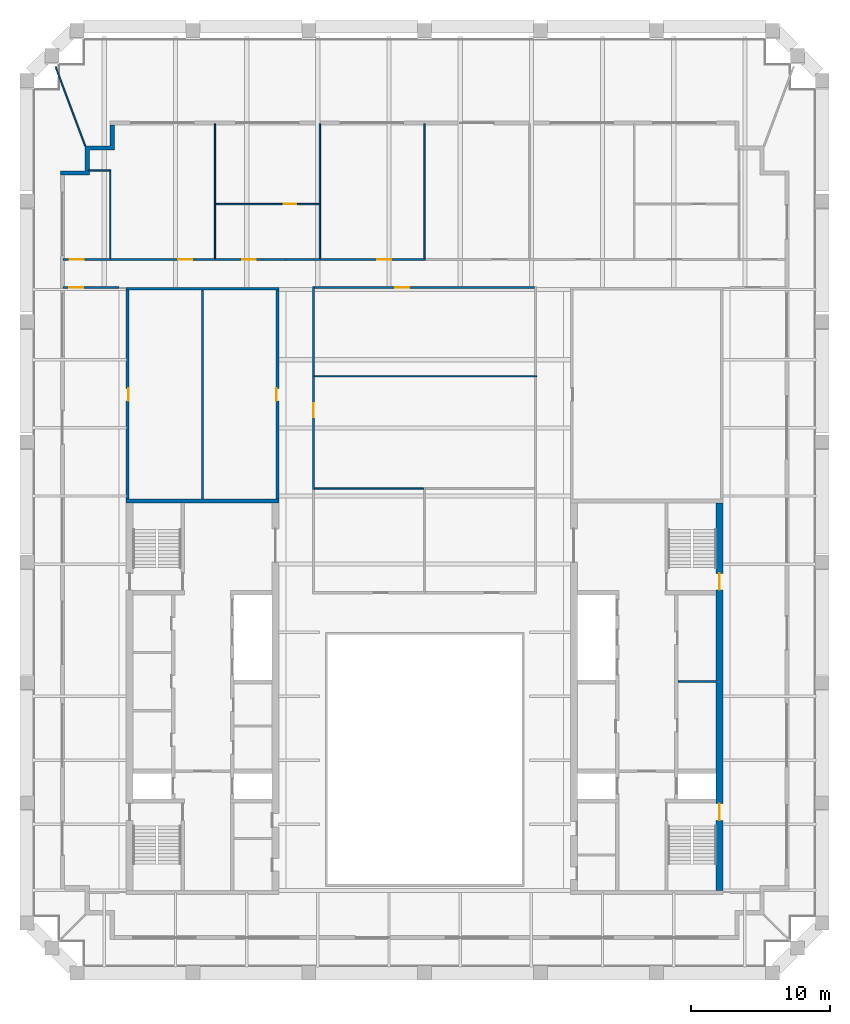
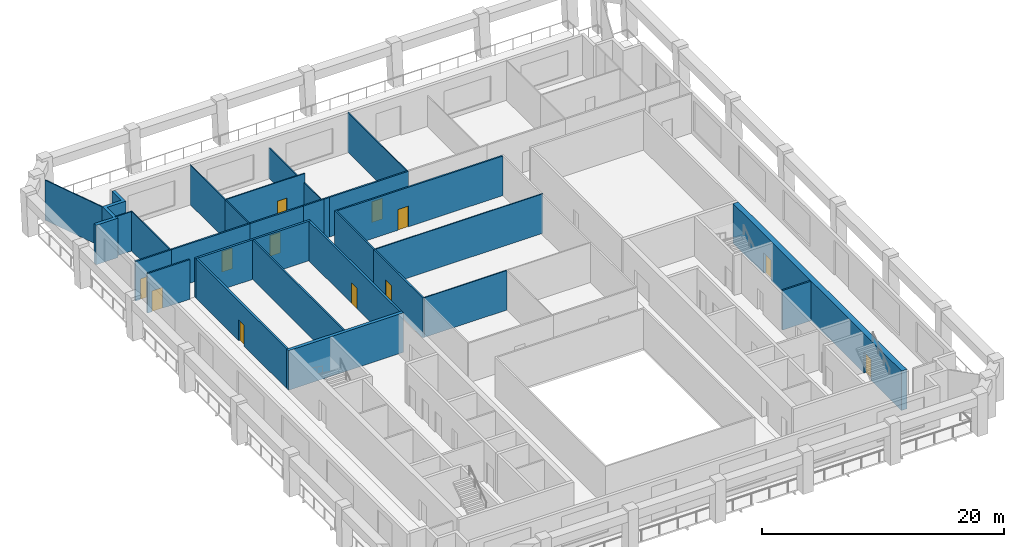
# One storey, part 5 of 9: 29 walls, 12 doors, 12 openings.
"""IFC4 building model written with IfcOpenShell, lengths in metres."""

from ifc_helpers import new_model, si_unit, direction, frame, frame_2d, origin, place, context, subcontext, project, spatial, polyline, rectangle, outline, extrude, material, layer, layer_set, type_object, element, fill, save


model = new_model("IFC4")

# Units and contexts
model_context = context("Model", 3, precision=1e-05, world=origin(), true_north=direction((0.0, 1.0)))
body_context = subcontext(model_context, "Body", "Model", "MODEL_VIEW")
ifc_project = project(units=[si_unit("LENGTHUNIT", "METRE"), si_unit("AREAUNIT", "SQUARE_METRE"), si_unit("VOLUMEUNIT", "CUBIC_METRE"), si_unit("PLANEANGLEUNIT", "RADIAN"), si_unit("MASSUNIT", "GRAM", prefix="KILO")], contexts=[model_context])

# Site, building, storey
site_placement = place(None, origin())
site = spatial("IfcSite", under=ifc_project, at=site_placement, CompositionType="ELEMENT")
building_placement = place(site_placement, origin())
building = spatial("IfcBuilding", under=site, at=building_placement, Name="Ogive Exchange Tower", CompositionType="ELEMENT")
storey_placement = place(building_placement, frame((0.0, 0.0, 346.800048828125)))
storey = spatial("IfcBuildingStorey", under=building, at=storey_placement, Name="L76", CompositionType="ELEMENT", Elevation=346.800048828125)

# Walls
ifc_material_1 = material(Name="Gypsum board partition")
ifc_layer_1 = layer(ifc_material_1, 0.14990234375)
ifc_layer_set_1 = layer_set([ifc_layer_1], Name="Core room partition 150 gypsum")
wall_type_1 = type_object("IfcWallType", Name="Core room partition 150 gypsum", PredefinedType="PARTITIONING", material=ifc_layer_set_1)
wall_1_placement = place(storey_placement, frame((-16.0, 25.75, 0.0), z_axis=(0.0, 0.0, 1.0), x_axis=(0.0, 1.0, 0.0)))
element("IfcWall", 1, at=wall_1_placement, inside=storey, type_object=wall_type_1, Name="W annex N column wall", PredefinedType="PARTITIONING", context=body_context, shape_type="SweptSolid", body=[
    extrude(rectangle(XDim=15.050048828125, YDim=0.14990234375, at=frame_2d((7.52490234375, 0.0))), origin(), (0.0, 0.0, 1.0), 4.0),
])
wall_2_placement = place(storey_placement, frame((18.25, 12.60009765625, 0.0), z_axis=(0.0, 0.0, 1.0), x_axis=(1.0, 0.0, 0.0)))
element("IfcWall", 2, at=wall_2_placement, inside=storey, type_object=wall_type_1, Name="E row A bay partition 1-1", PredefinedType="PARTITIONING", context=body_context, shape_type="SweptSolid", body=[
    extrude(rectangle(XDim=2.75, YDim=0.14990234375, at=frame_2d((1.375, 0.0))), origin(), (0.0, 0.0, 1.0), 4.0),
])

# Wall, opening, door
ifc_material_2 = material(Name="Fire partition EI 60 150")
ifc_layer_2 = layer(ifc_material_2, 0.14990234375)
ifc_layer_set_2 = layer_set([ifc_layer_2], Name="Fire partition EI 60 150")
wall_type_2 = type_object("IfcWallType", Name="Fire partition EI 60 150", PredefinedType="PARTITIONING", material=ifc_layer_set_2)
wall_3_placement = place(storey_placement, frame((-26.050048828125, 43.0, 0.0), z_axis=(0.0, 0.0, 1.0), x_axis=(1.0, 0.0, 0.0)))
wall_3 = element("IfcWall", 3, at=wall_3_placement, inside=storey, type_object=wall_type_2, Name="L76-PWL-001", PredefinedType="PARTITIONING", context=body_context, shape_type="SweptSolid", body=[
    extrude(rectangle(XDim=3.449951171875, YDim=0.14990234375, at=frame_2d((1.72509765625, 0.0))), origin(), (0.0, 0.0, 1.0), 4.0),
])
opening_1_placement = place(wall_3_placement, frame((0.5, 0.0, 0.0)))
opening_1 = element("IfcOpeningElement", 4, at=opening_1_placement, cuts=wall_3, Name="Opening L76-I10", PredefinedType="OPENING", context=body_context, shape_type="SweptSolid", body=[
    extrude(rectangle(XDim=1.0, YDim=2.10009765625, at=frame_2d((0.5, 1.050048828125))), frame((0.0, 0.0849609375, 0.0), z_axis=(0.0, -1.0, 0.0), x_axis=(1.0, 0.0, 0.0)), (0.0, 0.0, 1.0), 0.169921875),
])
ifc_material_3 = material(Name="Fire door FD 30S 1000 x 2100")
door_type_1 = type_object("IfcDoorType", Name="Fire door FD 30S 1000 x 2100", OperationType="NOTDEFINED", PredefinedType="DOOR", material=ifc_material_3)
door_1_placement = place(opening_1_placement, origin())
door_1 = element("IfcDoor", 5, at=door_1_placement, inside=storey, type_object=door_type_1, Name="L76-IDR-010", ObjectType="DT3", OperationType="SINGLE_SWING_RIGHT", OverallHeight=2.10009765625, OverallWidth=1.0, PredefinedType="DOOR", context=body_context, shape_type="SweptSolid", body=[
    extrude(rectangle(XDim=1.0, YDim=2.10009765625, at=frame_2d((0.5, 1.050048828125))), frame((0.0, 0.02490234375, 0.0), z_axis=(0.0, -1.0, 0.0), x_axis=(1.0, 0.0, 0.0)), (0.0, 0.0, 1.0), 0.050048828125),
])
fill(opening_1, door_1)

wall_4_placement = place(storey_placement, frame((-22.64990234375, 43.0, 0.0), z_axis=(0.0, 0.0, 1.0), x_axis=(1.0, 0.0, 0.0)))
wall_4 = element("IfcWall", 6, at=wall_4_placement, inside=storey, type_object=wall_type_2, Name="L76-PWL-004", PredefinedType="PARTITIONING", context=body_context, shape_type="SweptSolid", body=[
    extrude(rectangle(XDim=7.599853515625, YDim=0.14990234375, at=frame_2d((3.7998046875, 0.0))), origin(), (0.0, 0.0, 1.0), 4.0),
])
opening_2_placement = place(wall_4_placement, frame((4.89990234375, 0.0, 0.0)))
opening_2 = element("IfcOpeningElement", 7, at=opening_2_placement, cuts=wall_4, Name="Opening L76-I09", PredefinedType="OPENING", context=body_context, shape_type="SweptSolid", body=[
    extrude(rectangle(XDim=1.0, YDim=2.10009765625, at=frame_2d((0.5, 1.050048828125))), frame((0.0, 0.0849609375, 0.0), z_axis=(0.0, -1.0, 0.0), x_axis=(1.0, 0.0, 0.0)), (0.0, 0.0, 1.0), 0.169921875),
])
door_2_placement = place(opening_2_placement, origin())
door_2 = element("IfcDoor", 8, at=door_2_placement, inside=storey, type_object=door_type_1, Name="L76-IDR-009", ObjectType="DT3", OperationType="SINGLE_SWING_LEFT", OverallHeight=2.10009765625, OverallWidth=1.0, PredefinedType="DOOR", context=body_context, shape_type="SweptSolid", body=[
    extrude(rectangle(XDim=1.0, YDim=2.10009765625, at=frame_2d((0.5, 1.050048828125))), frame((0.0, 0.02490234375, 0.0), z_axis=(0.0, -1.0, 0.0), x_axis=(1.0, 0.0, 0.0)), (0.0, 0.0, 1.0), 0.050048828125),
])
fill(opening_2, door_2)

wall_5_placement = place(storey_placement, frame((-22.0, 41.0, 0.0), z_axis=(0.0, 0.0, 1.0), x_axis=(-1.0, 0.0, 0.0)))
wall_5 = element("IfcWall", 9, at=wall_5_placement, inside=storey, type_object=wall_type_2, Name="L76-PWL-006", PredefinedType="PARTITIONING", context=body_context, shape_type="SweptSolid", body=[
    extrude(rectangle(XDim=4.050048828125, YDim=0.14990234375, at=frame_2d((2.02490234375, 0.0))), origin(), (0.0, 0.0, 1.0), 4.0),
])
opening_3_placement = place(wall_5_placement, frame((2.60009765625, 0.0, 0.0)))
opening_3 = element("IfcOpeningElement", 10, at=opening_3_placement, cuts=wall_5, Name="Opening L76-I15", PredefinedType="OPENING", context=body_context, shape_type="SweptSolid", body=[
    extrude(rectangle(XDim=1.0, YDim=2.10009765625, at=frame_2d((0.5, 1.050048828125))), frame((0.0, 0.0849609375, 0.0), z_axis=(0.0, -1.0, 0.0), x_axis=(1.0, 0.0, 0.0)), (0.0, 0.0, 1.0), 0.169921875),
])
door_3_placement = place(opening_3_placement, origin())
door_3 = element("IfcDoor", 11, at=door_3_placement, inside=storey, type_object=door_type_1, Name="L76-IDR-015", ObjectType="DT3", OperationType="SINGLE_SWING_LEFT", OverallHeight=2.10009765625, OverallWidth=1.0, PredefinedType="DOOR", context=body_context, shape_type="SweptSolid", body=[
    extrude(rectangle(XDim=1.0, YDim=2.10009765625, at=frame_2d((0.5, 1.050048828125))), frame((0.0, 0.02490234375, 0.0), z_axis=(0.0, -1.0, 0.0), x_axis=(1.0, 0.0, 0.0)), (0.0, 0.0, 1.0), 0.050048828125),
])
fill(opening_3, door_3)

wall_6_placement = place(storey_placement, frame((-15.10009765625, 43.0, 0.0), z_axis=(0.0, 0.0, 1.0), x_axis=(1.0, 0.0, 0.0)))
wall_6 = element("IfcWall", 12, at=wall_6_placement, inside=storey, type_object=wall_type_2, Name="L76-PWL-008", PredefinedType="PARTITIONING", context=body_context, shape_type="SweptSolid", body=[
    extrude(rectangle(XDim=5.10009765625, YDim=0.14990234375, at=frame_2d((2.550048828125, 0.0))), origin(), (0.0, 0.0, 1.0), 4.0),
])
opening_4_placement = place(wall_6_placement, frame((1.949951171875, 0.0, 0.0)))
opening_4 = element("IfcOpeningElement", 13, at=opening_4_placement, cuts=wall_6, Name="Opening L76-I07", PredefinedType="OPENING", context=body_context, shape_type="SweptSolid", body=[
    extrude(rectangle(XDim=1.0, YDim=2.10009765625, at=frame_2d((0.5, 1.050048828125))), frame((0.0, 0.0849609375, 0.0), z_axis=(0.0, -1.0, 0.0), x_axis=(1.0, 0.0, 0.0)), (0.0, 0.0, 1.0), 0.169921875),
])
door_4_placement = place(opening_4_placement, origin())
door_4 = element("IfcDoor", 14, at=door_4_placement, inside=storey, type_object=door_type_1, Name="L76-IDR-007", ObjectType="DT3", OperationType="SINGLE_SWING_RIGHT", OverallHeight=2.10009765625, OverallWidth=1.0, PredefinedType="DOOR", context=body_context, shape_type="SweptSolid", body=[
    extrude(rectangle(XDim=1.0, YDim=2.10009765625, at=frame_2d((0.5, 1.050048828125))), frame((0.0, 0.02490234375, 0.0), z_axis=(0.0, -1.0, 0.0), x_axis=(1.0, 0.0, 0.0)), (0.0, 0.0, 1.0), 0.050048828125),
])
fill(opening_4, door_4)

# Wall
wall_7_placement = place(storey_placement, frame((-10.0, 43.0, 0.0), z_axis=(0.0, 0.0, 1.0), x_axis=(1.0, 0.0, 0.0)))
element("IfcWall", 15, at=wall_7_placement, inside=storey, type_object=wall_type_2, Name="L76-PWL-011", PredefinedType="PARTITIONING", context=body_context, shape_type="SweptSolid", body=[
    extrude(rectangle(XDim=2.0, YDim=0.14990234375, at=frame_2d((1.0, 0.0))), origin(), (0.0, 0.0, 1.0), 4.0),
])

# Wall, opening, door
wall_8_placement = place(storey_placement, frame((-8.0, 34.64990234375, 0.0), z_axis=(0.0, 0.0, 1.0), x_axis=(0.0, -1.0, 0.0)))
wall_8 = element("IfcWall", 16, at=wall_8_placement, inside=storey, type_object=wall_type_2, Name="L76-PWL-014", PredefinedType="PARTITIONING", context=body_context, shape_type="SweptSolid", body=[
    extrude(rectangle(XDim=8.199951171875, YDim=0.14990234375, at=frame_2d((4.10009765625, 0.0))), origin(), (0.0, 0.0, 1.0), 4.0),
])
opening_5_placement = place(wall_8_placement, frame((2.0, 0.0, 0.0)))
opening_5 = element("IfcOpeningElement", 17, at=opening_5_placement, cuts=wall_8, Name="Opening L76-I11", PredefinedType="OPENING", context=body_context, shape_type="SweptSolid", body=[
    extrude(rectangle(XDim=1.0, YDim=2.10009765625, at=frame_2d((0.5, 1.050048828125))), frame((0.0, 0.0849609375, 0.0), z_axis=(0.0, -1.0, 0.0), x_axis=(1.0, 0.0, 0.0)), (0.0, 0.0, 1.0), 0.169921875),
])
door_5_placement = place(opening_5_placement, origin())
door_5 = element("IfcDoor", 18, at=door_5_placement, inside=storey, type_object=door_type_1, Name="L76-IDR-011", ObjectType="DT3", OperationType="SINGLE_SWING_RIGHT", OverallHeight=2.10009765625, OverallWidth=1.0, PredefinedType="DOOR", context=body_context, shape_type="SweptSolid", body=[
    extrude(rectangle(XDim=1.0, YDim=2.10009765625, at=frame_2d((0.5, 1.050048828125))), frame((0.0, 0.02490234375, 0.0), z_axis=(0.0, -1.0, 0.0), x_axis=(1.0, 0.0, 0.0)), (0.0, 0.0, 1.0), 0.050048828125),
])
fill(opening_5, door_5)

# Walls
wall_9_placement = place(storey_placement, frame((-8.0, 41.074951171875, 0.0), z_axis=(0.0, 0.0, 1.0), x_axis=(0.0, -1.0, 0.0)))
element("IfcWall", 19, at=wall_9_placement, inside=storey, type_object=wall_type_2, Name="L76-PWL-016", PredefinedType="PARTITIONING", context=body_context, shape_type="SweptSolid", body=[
    extrude(rectangle(XDim=6.474853515625, YDim=0.14990234375, at=frame_2d((3.2373046875, 0.0))), origin(), (0.0, 0.0, 1.0), 4.0),
])
wall_10_placement = place(storey_placement, frame((-8.0, 43.0, 0.0), z_axis=(0.0, 0.0, 1.0), x_axis=(1.0, 0.0, 0.0)))
element("IfcWall", 20, at=wall_10_placement, inside=storey, type_object=wall_type_2, Name="L76-PWL-017", PredefinedType="PARTITIONING", context=body_context, shape_type="SweptSolid", body=[
    extrude(rectangle(XDim=0.5, YDim=0.14990234375, at=frame_2d((0.25, 0.0))), origin(), (0.0, 0.0, 1.0), 4.0),
])

# Wall, opening, door
wall_11_placement = place(storey_placement, frame((-7.550048828125, 43.0, 0.0), z_axis=(0.0, 0.0, 1.0), x_axis=(1.0, 0.0, 0.0)))
wall_11 = element("IfcWall", 21, at=wall_11_placement, inside=storey, type_object=wall_type_2, Name="L76-PWL-019", PredefinedType="PARTITIONING", context=body_context, shape_type="SweptSolid", body=[
    extrude(rectangle(XDim=7.60009765625, YDim=0.14990234375, at=frame_2d((3.800048828125, 0.0))), origin(), (0.0, 0.0, 1.0), 4.0),
])
opening_6_placement = place(wall_11_placement, frame((4.14990234375, 0.0, 0.0)))
opening_6 = element("IfcOpeningElement", 22, at=opening_6_placement, cuts=wall_11, Name="Opening L76-I06", PredefinedType="OPENING", context=body_context, shape_type="SweptSolid", body=[
    extrude(rectangle(XDim=1.0, YDim=2.10009765625, at=frame_2d((0.5, 1.050048828125))), frame((0.0, 0.0849609375, 0.0), z_axis=(0.0, -1.0, 0.0), x_axis=(1.0, 0.0, 0.0)), (0.0, 0.0, 1.0), 0.169921875),
])
door_6_placement = place(opening_6_placement, origin())
door_6 = element("IfcDoor", 23, at=door_6_placement, inside=storey, type_object=door_type_1, Name="L76-IDR-006", ObjectType="DT3", OperationType="SINGLE_SWING_LEFT", OverallHeight=2.10009765625, OverallWidth=1.0, PredefinedType="DOOR", context=body_context, shape_type="SweptSolid", body=[
    extrude(rectangle(XDim=1.0, YDim=2.10009765625, at=frame_2d((0.5, 1.050048828125))), frame((0.0, 0.02490234375, 0.0), z_axis=(0.0, -1.0, 0.0), x_axis=(1.0, 0.0, 0.0)), (0.0, 0.0, 1.0), 0.050048828125),
])
fill(opening_6, door_6)

wall_12_placement = place(storey_placement, frame((7.925048828125, 41.0, 0.0), z_axis=(0.0, 0.0, 1.0), x_axis=(-1.0, 0.0, 0.0)))
wall_12 = element("IfcWall", 24, at=wall_12_placement, inside=storey, type_object=wall_type_2, Name="L76-PWL-032", PredefinedType="PARTITIONING", context=body_context, shape_type="SweptSolid", body=[
    extrude(rectangle(XDim=15.85009765625, YDim=0.14990234375, at=frame_2d((7.925048828125, 0.0))), origin(), (0.0, 0.0, 1.0), 4.0),
])
opening_7_placement = place(wall_12_placement, frame((9.02490234375, 0.0, 0.0)))
opening_7 = element("IfcOpeningElement", 25, at=opening_7_placement, cuts=wall_12, Name="Opening L76-I12", PredefinedType="OPENING", context=body_context, shape_type="SweptSolid", body=[
    extrude(rectangle(XDim=1.0, YDim=2.10009765625, at=frame_2d((0.5, 1.050048828125))), frame((0.0, 0.0849609375, 0.0), z_axis=(0.0, -1.0, 0.0), x_axis=(1.0, 0.0, 0.0)), (0.0, 0.0, 1.0), 0.169921875),
])
door_7_placement = place(opening_7_placement, origin())
door_7 = element("IfcDoor", 26, at=door_7_placement, inside=storey, type_object=door_type_1, Name="L76-IDR-012", ObjectType="DT3", OperationType="SINGLE_SWING_RIGHT", OverallHeight=2.10009765625, OverallWidth=1.0, PredefinedType="DOOR", context=body_context, shape_type="SweptSolid", body=[
    extrude(rectangle(XDim=1.0, YDim=2.10009765625, at=frame_2d((0.5, 1.050048828125))), frame((0.0, 0.02490234375, 0.0), z_axis=(0.0, -1.0, 0.0), x_axis=(1.0, 0.0, 0.0)), (0.0, 0.0, 1.0), 0.050048828125),
])
fill(opening_7, door_7)

# Walls
ifc_material_4 = material(Name="Precast concrete C40/50", Category="concrete")
ifc_layer_3 = layer(ifc_material_4, 0.300048828125)
ifc_layer_set_3 = layer_set([ifc_layer_3], Name="Limestone-faced wall 300")
wall_type_3 = type_object("IfcWallType", Name="Limestone-faced wall 300", PredefinedType="STANDARD", material=ifc_layer_set_3)
wall_13_placement = place(storey_placement, origin())
element("IfcWall", 27, at=wall_13_placement, inside=storey, type_object=wall_type_3, Name="External corner wall C3", PredefinedType="STANDARD", context=body_context, shape_type="SweptSolid", body=[
    extrude(outline(polyline([(-24.449951171875, 49.39990234375), (-24.449951171875, 51.199951171875), (-22.64990234375, 51.199951171875), (-22.64990234375, 52.699951171875), (-22.35009765625, 52.699951171875), (-22.35009765625, 50.89990234375), (-24.14990234375, 50.89990234375), (-24.14990234375, 49.10009765625), (-26.25, 49.10009765625), (-26.25, 49.39990234375), (-24.449951171875, 49.39990234375)])), origin(), (0.0, 0.0, 1.0), 4.0),
])
ifc_material_5 = material(Name="Laminated safety glass in steel frame", Category="steel")
ifc_layer_4 = layer(ifc_material_5, 0.10009765625)
ifc_layer_set_4 = layer_set([ifc_layer_4], Name="Loggia end screen 100")
wall_type_4 = type_object("IfcWallType", Name="Loggia end screen 100", PredefinedType="STANDARD", material=ifc_layer_set_4)
wall_14_placement = place(storey_placement, frame((-24.449951171875, 51.199951171875, -0.050048828125), z_axis=(0.0, 0.0, 1.0), x_axis=(-0.352001800812, 0.93599932277, 0.0)))
element("IfcWall", 28, at=wall_14_placement, inside=storey, type_object=wall_type_4, Name="Loggia end screen C3", PredefinedType="STANDARD", context=body_context, shape_type="SweptSolid", body=[
    extrude(rectangle(XDim=6.091064453125, YDim=0.10009765625, at=frame_2d((3.04541015625, 0.0))), origin(), (0.0, 0.0, 1.0), 4.050048828125),
])
ifc_material_6 = material(Name="Partition 100 gypsum")
ifc_layer_5 = layer(ifc_material_6, 0.10009765625)
ifc_layer_set_5 = layer_set([ifc_layer_5], Name="Partition 100 gypsum")
wall_type_5 = type_object("IfcWallType", Name="Partition 100 gypsum", PredefinedType="PARTITIONING", material=ifc_layer_set_5)
wall_15_placement = place(storey_placement, frame((-22.64990234375, 43.074951171875, 0.0), z_axis=(0.0, 0.0, 1.0), x_axis=(0.0, 1.0, 0.0)))
element("IfcWall", 29, at=wall_15_placement, inside=storey, type_object=wall_type_5, Name="L76-PWL-003", PredefinedType="PARTITIONING", context=body_context, shape_type="SweptSolid", body=[
    extrude(rectangle(XDim=6.385009765625, YDim=0.10009765625, at=frame_2d((3.1923828125, 0.0))), origin(), (0.0, 0.0, 1.0), 4.0),
])
wall_16_placement = place(storey_placement, frame((-22.699951171875, 49.409912109375, 0.0), z_axis=(0.0, 0.0, 1.0), x_axis=(-1.0, 0.0, 0.0)))
element("IfcWall", 30, at=wall_16_placement, inside=storey, type_object=wall_type_5, Name="L76-PWL-005", PredefinedType="PARTITIONING", context=body_context, shape_type="SweptSolid", body=[
    extrude(rectangle(XDim=1.550048828125, YDim=0.10009765625, at=frame_2d((0.77490234375, 0.0))), origin(), (0.0, 0.0, 1.0), 4.0),
])
wall_17_placement = place(storey_placement, frame((-15.10009765625, 43.074951171875, 0.0), z_axis=(0.0, 0.0, 1.0), x_axis=(0.0, 1.0, 0.0)))
element("IfcWall", 31, at=wall_17_placement, inside=storey, type_object=wall_type_5, Name="L76-PWL-007", PredefinedType="PARTITIONING", context=body_context, shape_type="SweptSolid", body=[
    extrude(rectangle(XDim=3.875, YDim=0.10009765625, at=frame_2d((1.9375, 0.0))), origin(), (0.0, 0.0, 1.0), 4.0),
])
wall_18_placement = place(storey_placement, frame((-15.10009765625, 46.949951171875, 0.0), z_axis=(0.0, 0.0, 1.0), x_axis=(0.0, 1.0, 0.0)))
element("IfcWall", 32, at=wall_18_placement, inside=storey, type_object=wall_type_5, Name="L76-PWL-009", PredefinedType="PARTITIONING", context=body_context, shape_type="SweptSolid", body=[
    extrude(rectangle(XDim=5.85009765625, YDim=0.10009765625, at=frame_2d((2.925048828125, 0.0))), origin(), (0.0, 0.0, 1.0), 4.0),
])

# Wall, opening, door
wall_19_placement = place(storey_placement, frame((-15.050048828125, 47.0, 0.0), z_axis=(0.0, 0.0, 1.0), x_axis=(1.0, 0.0, 0.0)))
wall_19 = element("IfcWall", 33, at=wall_19_placement, inside=storey, type_object=wall_type_5, Name="L76-PWL-010", PredefinedType="PARTITIONING", context=body_context, shape_type="SweptSolid", body=[
    extrude(rectangle(XDim=7.550048828125, YDim=0.10009765625, at=frame_2d((3.77490234375, 0.0))), origin(), (0.0, 0.0, 1.0), 4.0),
])
opening_8_placement = place(wall_19_placement, frame((4.89990234375, 0.0, 0.0)))
opening_8 = element("IfcOpeningElement", 34, at=opening_8_placement, cuts=wall_19, Name="Opening L76-I08", PredefinedType="OPENING", context=body_context, shape_type="SweptSolid", body=[
    extrude(rectangle(XDim=0.89990234375, YDim=2.10009765625, at=frame_2d((0.449951171875, 1.050048828125))), frame((0.0, 0.06005859375, 0.0), z_axis=(0.0, -1.0, 0.0), x_axis=(1.0, 0.0, 0.0)), (0.0, 0.0, 1.0), 0.1201171875),
])
ifc_material_7 = material(Name="Door 900 x 2100")
door_type_2 = type_object("IfcDoorType", Name="Door 900 x 2100", OperationType="NOTDEFINED", PredefinedType="DOOR", material=ifc_material_7)
door_8_placement = place(opening_8_placement, frame((0.89990234375, 0.0, 0.0), z_axis=(0.0, 0.0, 1.0), x_axis=(-1.0, 0.0, 0.0)))
door_8 = element("IfcDoor", 35, at=door_8_placement, inside=storey, type_object=door_type_2, Name="L76-IDR-008", ObjectType="DT1", OperationType="SINGLE_SWING_RIGHT", OverallHeight=2.10009765625, OverallWidth=0.89990234375, PredefinedType="DOOR", context=body_context, shape_type="SweptSolid", body=[
    extrude(rectangle(XDim=0.89990234375, YDim=2.10009765625, at=frame_2d((0.449951171875, 1.050048828125))), frame((0.0, 0.02490234375, 0.0), z_axis=(0.0, -1.0, 0.0), x_axis=(1.0, 0.0, 0.0)), (0.0, 0.0, 1.0), 0.050048828125),
])
fill(opening_8, door_8)

# Walls
wall_20_placement = place(storey_placement, frame((-7.925048828125, 34.60009765625, 0.0), z_axis=(0.0, 0.0, 1.0), x_axis=(1.0, 0.0, 0.0)))
element("IfcWall", 36, at=wall_20_placement, inside=storey, type_object=wall_type_5, Name="L76-PWL-015", PredefinedType="PARTITIONING", context=body_context, shape_type="SweptSolid", body=[
    extrude(rectangle(XDim=16.0, YDim=0.10009765625, at=frame_2d((8.0, 0.0))), origin(), (0.0, 0.0, 1.0), 4.0),
])
wall_21_placement = place(storey_placement, frame((-7.550048828125, 43.074951171875, 0.0), z_axis=(0.0, 0.0, 1.0), x_axis=(0.0, 1.0, 0.0)))
element("IfcWall", 37, at=wall_21_placement, inside=storey, type_object=wall_type_5, Name="L76-PWL-018", PredefinedType="PARTITIONING", context=body_context, shape_type="SweptSolid", body=[
    extrude(rectangle(XDim=3.875, YDim=0.10009765625, at=frame_2d((1.9375, 0.0))), origin(), (0.0, 0.0, 1.0), 3.095947265625),
])
wall_22_placement = place(storey_placement, frame((-7.550048828125, 47.050048828125, 0.0), z_axis=(0.0, 0.0, 1.0), x_axis=(0.0, 1.0, 0.0)))
element("IfcWall", 38, at=wall_22_placement, inside=storey, type_object=wall_type_5, Name="L76-PWL-020", PredefinedType="PARTITIONING", context=body_context, shape_type="SweptSolid", body=[
    extrude(rectangle(XDim=5.75, YDim=0.10009765625, at=frame_2d((2.875, 0.0))), origin(), (0.0, 0.0, 1.0), 3.095947265625),
])
wall_23_placement = place(storey_placement, frame((-0.050048828125, 26.5, 0.0), z_axis=(0.0, 0.0, 1.0), x_axis=(-1.0, 0.0, 0.0)))
element("IfcWall", 39, at=wall_23_placement, inside=storey, type_object=wall_type_5, Name="L76-PWL-023", PredefinedType="PARTITIONING", context=body_context, shape_type="SweptSolid", body=[
    extrude(rectangle(XDim=7.875, YDim=0.10009765625, at=frame_2d((3.9375, 0.0))), origin(), (0.0, 0.0, 1.0), 4.0),
])
wall_24_placement = place(storey_placement, frame((0.0, 43.074951171875, 0.0), z_axis=(0.0, 0.0, 1.0), x_axis=(0.0, 1.0, 0.0)))
element("IfcWall", 40, at=wall_24_placement, inside=storey, type_object=wall_type_5, Name="L76-PWL-024", PredefinedType="PARTITIONING", context=body_context, shape_type="SweptSolid", body=[
    extrude(rectangle(XDim=9.72509765625, YDim=0.10009765625, at=frame_2d((4.862548828125, 0.0))), origin(), (0.0, 0.0, 1.0), 4.0),
])

# Wall, opening, door
ifc_material_8 = material(Name="Concrete C70/85", Category="concrete")
ifc_layer_6 = layer(ifc_material_8, 0.199951171875)
ifc_layer_set_6 = layer_set([ifc_layer_6], Name="RC core wall 200 C70/85")
wall_type_6 = type_object("IfcWallType", Name="RC core wall 200 C70/85", PredefinedType="SHEAR", material=ifc_layer_set_6)
wall_25_placement = place(storey_placement, frame((-21.39990234375, 25.75, 0.0), z_axis=(0.0, 0.0, 1.0), x_axis=(0.0, 1.0, 0.0)))
wall_25 = element("IfcWall", 41, at=wall_25_placement, inside=storey, type_object=wall_type_6, Name="W annex N outer wall", PredefinedType="SHEAR", context=body_context, shape_type="SweptSolid", body=[
    extrude(rectangle(XDim=15.050048828125, YDim=0.199951171875, at=frame_2d((7.52490234375, 0.0))), origin(), (0.0, 0.0, 1.0), 4.0),
])
opening_9_placement = place(wall_25_placement, frame((7.074951171875, 0.0, 0.0)))
opening_9 = element("IfcOpeningElement", 42, at=opening_9_placement, cuts=wall_25, Name="Opening L76-C19", PredefinedType="OPENING", context=body_context, shape_type="SweptSolid", body=[
    extrude(rectangle(XDim=0.89990234375, YDim=2.10009765625, at=frame_2d((0.449951171875, 1.050048828125))), frame((0.0, 0.10986328125, 0.0), z_axis=(0.0, -1.0, 0.0), x_axis=(1.0, 0.0, 0.0)), (0.0, 0.0, 1.0), 0.219970703125),
])
ifc_material_9 = material(Name="Steel fire door", Category="steel")
door_type_3 = type_object("IfcDoorType", Name="Riser door FD60 900 x 2100", OperationType="NOTDEFINED", PredefinedType="DOOR", material=ifc_material_9)
door_9_placement = place(opening_9_placement, origin())
door_9 = element("IfcDoor", 43, at=door_9_placement, inside=storey, type_object=door_type_3, Name="Riser door", ObjectType="CD2", OperationType="SINGLE_SWING_RIGHT", OverallHeight=2.10009765625, OverallWidth=0.89990234375, PredefinedType="DOOR", context=body_context, shape_type="SweptSolid", body=[
    extrude(rectangle(XDim=0.89990234375, YDim=2.10009765625, at=frame_2d((0.449951171875, 1.050048828125))), frame((0.0, -0.0498046875, 0.0), z_axis=(0.0, -1.0, 0.0), x_axis=(1.0, 0.0, 0.0)), (0.0, 0.0, 1.0), 0.050048828125),
])
fill(opening_9, door_9)

wall_26_placement = place(storey_placement, frame((-10.60009765625, 25.75, 0.0), z_axis=(0.0, 0.0, 1.0), x_axis=(0.0, 1.0, 0.0)))
wall_26 = element("IfcWall", 44, at=wall_26_placement, inside=storey, type_object=wall_type_6, Name="W annex N inner wall", PredefinedType="SHEAR", context=body_context, shape_type="SweptSolid", body=[
    extrude(rectangle(XDim=15.050048828125, YDim=0.199951171875, at=frame_2d((7.52490234375, 0.0))), origin(), (0.0, 0.0, 1.0), 4.0),
])
opening_10_placement = place(wall_26_placement, frame((7.074951171875, 0.0, 0.0)))
opening_10 = element("IfcOpeningElement", 45, at=opening_10_placement, cuts=wall_26, Name="Opening L76-C20", PredefinedType="OPENING", context=body_context, shape_type="SweptSolid", body=[
    extrude(rectangle(XDim=0.89990234375, YDim=2.10009765625, at=frame_2d((0.449951171875, 1.050048828125))), frame((0.0, 0.10986328125, 0.0), z_axis=(0.0, -1.0, 0.0), x_axis=(1.0, 0.0, 0.0)), (0.0, 0.0, 1.0), 0.219970703125),
])
door_10_placement = place(opening_10_placement, frame((0.89990234375, 0.14990234375, 0.0), z_axis=(0.0, 0.0, 1.0), x_axis=(-1.0, 0.0, 0.0)))
door_10 = element("IfcDoor", 46, at=door_10_placement, inside=storey, type_object=door_type_3, Name="Riser door", ObjectType="CD2", OperationType="SINGLE_SWING_RIGHT", OverallHeight=2.10009765625, OverallWidth=0.89990234375, PredefinedType="DOOR", context=body_context, shape_type="SweptSolid", body=[
    extrude(rectangle(XDim=0.89990234375, YDim=2.10009765625, at=frame_2d((0.449951171875, 1.050048828125))), frame((0.0, 0.10009765625, 0.0), z_axis=(0.0, -1.0, 0.0), x_axis=(1.0, 0.0, 0.0)), (0.0, 0.0, 1.0), 0.050048828125),
])
fill(opening_10, door_10)

# Walls
wall_27_placement = place(storey_placement, frame((-21.5, 40.89990234375, 0.0), z_axis=(0.0, 0.0, 1.0), x_axis=(1.0, 0.0, 0.0)))
element("IfcWall", 47, at=wall_27_placement, inside=storey, type_object=wall_type_6, Name="W annex N end wall", PredefinedType="SHEAR", context=body_context, shape_type="SweptSolid", body=[
    extrude(rectangle(XDim=11.0, YDim=0.199951171875, at=frame_2d((5.5, 0.0))), origin(), (0.0, 0.0, 1.0), 4.0),
])
ifc_layer_7 = layer(ifc_material_8, 0.300048828125)
ifc_layer_set_7 = layer_set([ifc_layer_7], Name="RC core wall 300 C70/85")
wall_type_7 = type_object("IfcWallType", Name="RC core wall 300 C70/85", PredefinedType="SHEAR", material=ifc_layer_set_7)
wall_28_placement = place(storey_placement, frame((-21.5, 25.60009765625, 0.0), z_axis=(0.0, 0.0, 1.0), x_axis=(1.0, 0.0, 0.0)))
element("IfcWall", 48, at=wall_28_placement, inside=storey, type_object=wall_type_7, Name="W north end wall", PredefinedType="SHEAR", context=body_context, shape_type="SweptSolid", body=[
    extrude(rectangle(XDim=11.0, YDim=0.300048828125, at=frame_2d((5.5, 0.0))), origin(), (0.0, 0.0, 1.0), 4.0),
])

# Wall, openings, doors
ifc_layer_8 = layer(ifc_material_8, 0.5)
ifc_layer_set_8 = layer_set([ifc_layer_8], Name="RC core wall 500 C70/85")
wall_type_8 = type_object("IfcWallType", Name="RC core wall 500 C70/85", PredefinedType="SHEAR", material=ifc_layer_set_8)
wall_29_placement = place(storey_placement, frame((21.25, -2.449951171875, 0.0), z_axis=(0.0, 0.0, 1.0), x_axis=(0.0, 1.0, 0.0)))
wall_29 = element("IfcWall", 49, at=wall_29_placement, inside=storey, type_object=wall_type_8, Name="E outer wall", PredefinedType="SHEAR", context=body_context, shape_type="SweptSolid", body=[
    extrude(rectangle(XDim=27.89990234375, YDim=0.5, at=frame_2d((13.949951171875, 0.0))), origin(), (0.0, 0.0, 1.0), 4.0),
])
opening_11_placement = place(wall_29_placement, frame((5.050048828125, 0.0, 0.0)))
opening_11 = element("IfcOpeningElement", 50, at=opening_11_placement, cuts=wall_29, Name="Opening L76-C32", PredefinedType="OPENING", context=body_context, shape_type="SweptSolid", body=[
    extrude(rectangle(XDim=1.199951171875, YDim=2.10009765625, at=frame_2d((0.60009765625, 1.050048828125))), frame((0.0, 0.260009765625, 0.0), z_axis=(0.0, -1.0, 0.0), x_axis=(1.0, 0.0, 0.0)), (0.0, 0.0, 1.0), 0.52001953125),
])
opening_12_placement = place(wall_29_placement, frame((21.64990234375, 0.0, 0.0)))
opening_12 = element("IfcOpeningElement", 51, at=opening_12_placement, cuts=wall_29, Name="Opening L76-C34", PredefinedType="OPENING", context=body_context, shape_type="SweptSolid", body=[
    extrude(rectangle(XDim=1.199951171875, YDim=2.10009765625, at=frame_2d((0.60009765625, 1.050048828125))), frame((0.0, 0.260009765625, 0.0), z_axis=(0.0, -1.0, 0.0), x_axis=(1.0, 0.0, 0.0)), (0.0, 0.0, 1.0), 0.52001953125),
])
door_type_4 = type_object("IfcDoorType", Name="Stair door FD90 1200 x 2100", OperationType="NOTDEFINED", PredefinedType="DOOR", material=ifc_material_9)
door_11_placement = place(opening_11_placement, frame((1.199951171875, 0.0, 0.0), z_axis=(0.0, 0.0, 1.0), x_axis=(-1.0, 0.0, 0.0)))
door_11 = element("IfcDoor", 52, at=door_11_placement, inside=storey, type_object=door_type_4, Name="Stair door", ObjectType="CD5", OperationType="SINGLE_SWING_LEFT", OverallHeight=2.10009765625, OverallWidth=1.199951171875, PredefinedType="DOOR", context=body_context, shape_type="SweptSolid", body=[
    extrude(rectangle(XDim=1.199951171875, YDim=2.10009765625, at=frame_2d((0.60009765625, 1.050048828125))), frame((0.0, 0.02490234375, 0.0), z_axis=(0.0, -1.0, 0.0), x_axis=(1.0, 0.0, 0.0)), (0.0, 0.0, 1.0), 0.050048828125),
])
fill(opening_11, door_11)
door_12_placement = place(opening_12_placement, frame((1.199951171875, 0.0, 0.0), z_axis=(0.0, 0.0, 1.0), x_axis=(-1.0, 0.0, 0.0)))
door_12 = element("IfcDoor", 53, at=door_12_placement, inside=storey, type_object=door_type_4, Name="Stair door", ObjectType="CD5", OperationType="SINGLE_SWING_RIGHT", OverallHeight=2.10009765625, OverallWidth=1.199951171875, PredefinedType="DOOR", context=body_context, shape_type="SweptSolid", body=[
    extrude(rectangle(XDim=1.199951171875, YDim=2.10009765625, at=frame_2d((0.60009765625, 1.050048828125))), frame((0.0, 0.02490234375, 0.0), z_axis=(0.0, -1.0, 0.0), x_axis=(1.0, 0.0, 0.0)), (0.0, 0.0, 1.0), 0.050048828125),
])
fill(opening_12, door_12)

save(model, "model.ifc")
